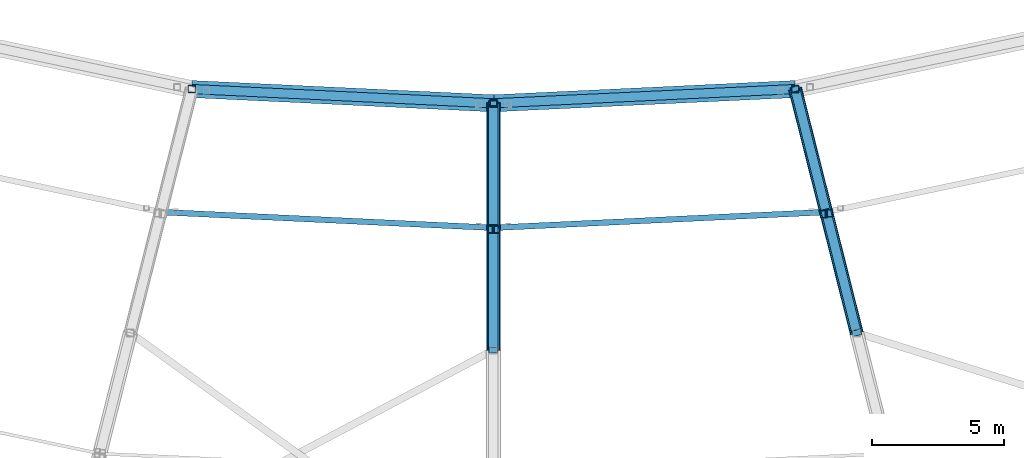
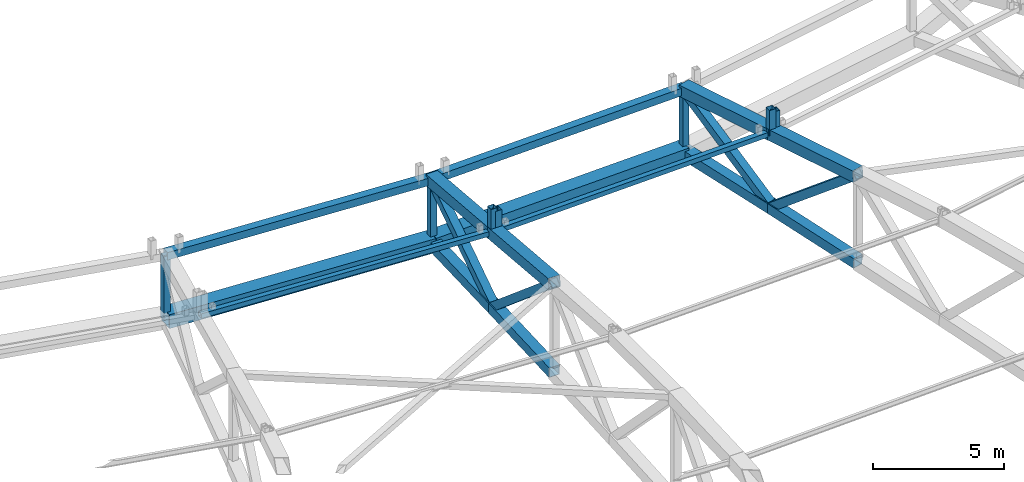
# One storey, part 34 of 162: 25 members.
"""IFC4 building model written with IfcOpenShell, lengths in metres."""

from ifc_helpers import new_model, si_unit, direction, frame, origin, origin_2d, place, context, subcontext, project, spatial, hollow_rectangle, extrude, material, material_profile, profile_set, type_object, element, save


model = new_model("IFC4")

# Units and contexts
model_context = context("Model", 3, precision=1e-05, world=origin(), true_north=direction((0.0, 1.0)))
body_context = subcontext(model_context, "Body", "Model", "MODEL_VIEW")
ifc_project = project(units=[si_unit("LENGTHUNIT", "METRE"), si_unit("AREAUNIT", "SQUARE_METRE"), si_unit("VOLUMEUNIT", "CUBIC_METRE"), si_unit("PLANEANGLEUNIT", "RADIAN"), si_unit("MASSUNIT", "GRAM", prefix="KILO")], contexts=[model_context])

# Site, building, storey
site_placement = place(None, origin())
site = spatial("IfcSite", under=ifc_project, at=site_placement, CompositionType="ELEMENT")
building_placement = place(site_placement, origin())
building = spatial("IfcBuilding", under=site, at=building_placement, Name="Kazemori Nagisa Stadium", CompositionType="ELEMENT")
storey_placement = place(building_placement, frame((0.0, 0.0, 36.719970703125)))
storey = spatial("IfcBuildingStorey", under=building, at=storey_placement, Name="RF", CompositionType="ELEMENT", Elevation=36.719970703125)

# Members
ifc_material = material(Name="Steel STKR490", Category="steel")
ifc_material_profile_1 = material_profile(ifc_material, hollow_rectangle(XDim=0.280029296875, YDim=0.280029296875, WallThickness=0.010009765625, at=origin_2d()), Name="SHS-280x280x10")
ifc_profile_set_1 = profile_set([ifc_material_profile_1], Name="Steel STKR490")
member_type_1 = type_object("IfcMemberType", Name="Member_ST-SHS280", PredefinedType="STUD", material=ifc_profile_set_1)
member_1_placement = place(storey_placement, frame((122.898193359375, 51.1962890625, 5.380126953125), z_axis=(0.0, 0.0, 1.0), x_axis=(1.0, 0.0, 0.0)))
element("IfcMember", 1, at=member_1_placement, inside=storey, type_object=member_type_1, Name="Canopy bearing stool B21-inner-3", PredefinedType="STUD", context=body_context, shape_type="SweptSolid", body=[
    extrude(hollow_rectangle(XDim=0.280029296875, YDim=0.280029296875, WallThickness=0.010009765625, at=origin_2d()), origin(), (0.0, 0.0, 1.0), 1.200927734375),
])
member_2_placement = place(storey_placement, frame((135.55126953125, 51.77978515625, 5.235107421875), z_axis=(0.0, 0.0, 1.0), x_axis=(1.0, 0.0, 0.0)))
element("IfcMember", 2, at=member_2_placement, inside=storey, type_object=member_type_1, Name="Canopy bearing stool B22-inner-3", PredefinedType="STUD", context=body_context, shape_type="SweptSolid", body=[
    extrude(hollow_rectangle(XDim=0.280029296875, YDim=0.280029296875, WallThickness=0.010009765625, at=origin_2d()), origin(), (0.0, 0.0, 1.0), 1.184814453125),
])
member_3_placement = place(storey_placement, frame((123.101806640625, 51.1962890625, 5.380126953125), z_axis=(0.0, 0.0, 1.0), x_axis=(1.0, 0.0, 0.0)))
element("IfcMember", 3, at=member_3_placement, inside=storey, type_object=member_type_1, Name="Canopy bearing stool B22-inner-4", PredefinedType="STUD", context=body_context, shape_type="SweptSolid", body=[
    extrude(hollow_rectangle(XDim=0.280029296875, YDim=0.280029296875, WallThickness=0.010009765625, at=origin_2d()), origin(), (0.0, 0.0, 1.0), 1.039794921875),
])
member_4_placement = place(storey_placement, frame((135.754150390625, 51.814208984375, 5.235107421875), z_axis=(0.0, 0.0, 1.0), x_axis=(1.0, 0.0, 0.0)))
element("IfcMember", 4, at=member_4_placement, inside=storey, type_object=member_type_1, Name="Canopy bearing stool B23-inner-4", PredefinedType="STUD", context=body_context, shape_type="SweptSolid", body=[
    extrude(hollow_rectangle(XDim=0.280029296875, YDim=0.280029296875, WallThickness=0.010009765625, at=origin_2d()), origin(), (0.0, 0.0, 1.0), 1.02392578125),
])
ifc_material_profile_2 = material_profile(ifc_material, hollow_rectangle(XDim=0.360107421875, YDim=0.360107421875, WallThickness=0.013916015625, at=origin_2d()), Name="SHS-360x360x14")
ifc_profile_set_2 = profile_set([ifc_material_profile_2], Name="Steel STKR490")
member_type_2 = type_object("IfcMemberType", Name="Member_TB-SHS360", PredefinedType="BRACE", material=ifc_profile_set_2)
member_5_placement = place(storey_placement, frame((123.0, 46.615966796875, 5.780029296875), z_axis=(0.0, 0.763753198073, -0.645508367439), x_axis=(-1.0, 0.0, 0.0)))
element("IfcMember", 5, at=member_5_placement, inside=storey, type_object=member_type_2, Name="Roof space truss diagonal RT-22-8", PredefinedType="BRACE", context=body_context, shape_type="SweptSolid", body=[
    extrude(hollow_rectangle(XDim=0.360107421875, YDim=0.360107421875, WallThickness=0.013916015625, at=origin_2d()), origin(), (0.0, 0.0, 1.0), 6.08056640625),
])
member_6_placement = place(storey_placement, frame((123.0, 51.260009765625, 1.85498046875), z_axis=(0.0, 0.834348761019, 0.551236922734), x_axis=(-1.0, 0.0, 0.0)))
element("IfcMember", 6, at=member_6_placement, inside=storey, type_object=member_type_2, Name="Roof space truss diagonal RT-22-9", PredefinedType="BRACE", context=body_context, shape_type="SweptSolid", body=[
    extrude(hollow_rectangle(XDim=0.360107421875, YDim=0.360107421875, WallThickness=0.013916015625, at=origin_2d()), origin(), (0.0, 0.0, 1.0), 5.669189453125),
])
member_7_placement = place(storey_placement, frame((136.79931640625, 47.2685546875, 5.6240234375), z_axis=(-0.189151011333, 0.750257767467, -0.63351020297), x_axis=(-0.969658101679, -0.244465060587, 0.0)))
element("IfcMember", 7, at=member_7_placement, inside=storey, type_object=member_type_2, Name="Roof space truss diagonal RT-23-8", PredefinedType="BRACE", context=body_context, shape_type="SweptSolid", body=[
    extrude(hollow_rectangle(XDim=0.360107421875, YDim=0.360107421875, WallThickness=0.013916015625, at=origin_2d()), origin(), (0.0, 0.0, 1.0), 6.11669921875),
])
member_8_placement = place(storey_placement, frame((135.642333984375, 51.857666015625, 1.7490234375), z_axis=(-0.20567846439, 0.815811037748, 0.540507835257), x_axis=(-0.969657957975, -0.244465630583, 0.0)))
element("IfcMember", 8, at=member_8_placement, inside=storey, type_object=member_type_2, Name="Roof space truss diagonal RT-23-9", PredefinedType="BRACE", context=body_context, shape_type="SweptSolid", body=[
    extrude(hollow_rectangle(XDim=0.360107421875, YDim=0.360107421875, WallThickness=0.013916015625, at=origin_2d()), origin(), (0.0, 0.0, 1.0), 5.729736328125),
])
ifc_material_profile_3 = material_profile(ifc_material, hollow_rectangle(XDim=0.35009765625, YDim=0.35009765625, WallThickness=0.01611328125, at=origin_2d()), Name="SHS-350x350x16")
ifc_profile_set_3 = profile_set([ifc_material_profile_3], Name="Steel STKR490")
member_type_3 = type_object("IfcMemberType", Name="Member_TC-SHS350", PredefinedType="CHORD", material=ifc_profile_set_3)
for number, where, z_axis, x_axis, name in (
    (9, (111.5361328125, 56.531982421875, 5.114013671875), (0.998816137593, -0.047222332087, -0.011677955097), (0.04722555238, 0.998884251153, 0.0), "Roof tension ring beam upper TR-21"),
    (10, (123.0, 55.989990234375, 4.97998046875), (0.998816137593, 0.047222332087, -0.011677955097), (-0.04722555238, 0.998884251153, 0.0), "Roof tension ring beam upper TR-22"),
):
    element("IfcMember", number, at=place(storey_placement, frame(where, z_axis=z_axis, x_axis=x_axis)), inside=storey, type_object=member_type_3, Name=name, PredefinedType="CHORD", context=body_context, shape_type="SweptSolid", body=[
        extrude(hollow_rectangle(XDim=0.35009765625, YDim=0.35009765625, WallThickness=0.01611328125, at=origin_2d()), origin(), (0.0, 0.0, 1.0), 11.4775390625),
    ])
ifc_material_profile_4 = material_profile(ifc_material, hollow_rectangle(XDim=0.4599609375, YDim=0.4599609375, WallThickness=0.01611328125, at=origin_2d()), Name="SHS-460x460x16")
ifc_profile_set_4 = profile_set([ifc_material_profile_4], Name="Steel STKR490")
member_type_4 = type_object("IfcMemberType", Name="Member_TC-SHS460", PredefinedType="CHORD", material=ifc_profile_set_4)
member_9_placement = place(storey_placement, frame((123.0, 46.615966796875, 1.64013671875), z_axis=(0.0, 0.998931617978, 0.046212796963), x_axis=(-1.0, 0.0, 0.0)))
element("IfcMember", 11, at=member_9_placement, inside=storey, type_object=member_type_4, Name="Roof space truss bottom chord RT-22-8", PredefinedType="CHORD", context=body_context, shape_type="SweptSolid", body=[
    extrude(hollow_rectangle(XDim=0.4599609375, YDim=0.4599609375, WallThickness=0.01611328125, at=origin_2d()), origin(), (0.0, 0.0, 1.0), 4.64892578125),
])
member_10_placement = place(storey_placement, frame((123.0, 51.260009765625, 1.85498046875), z_axis=(0.0, 0.999315893225, 0.036983044051), x_axis=(-1.0, 0.0, 0.0)))
element("IfcMember", 12, at=member_10_placement, inside=storey, type_object=member_type_4, Name="Roof space truss bottom chord RT-22-9", PredefinedType="CHORD", context=body_context, shape_type="SweptSolid", body=[
    extrude(hollow_rectangle(XDim=0.4599609375, YDim=0.4599609375, WallThickness=0.01611328125, at=origin_2d()), origin(), (0.0, 0.0, 1.0), 4.733154296875),
])
member_11_placement = place(storey_placement, frame((136.79931640625, 47.2685546875, 1.551025390625), z_axis=(-0.244251402641, 0.968810638413, 0.041799512037), x_axis=(-0.969658101679, -0.244465060587, 0.0)))
element("IfcMember", 13, at=member_11_placement, inside=storey, type_object=member_type_4, Name="Roof space truss bottom chord RT-23-8", PredefinedType="CHORD", context=body_context, shape_type="SweptSolid", body=[
    extrude(hollow_rectangle(XDim=0.4599609375, YDim=0.4599609375, WallThickness=0.01611328125, at=origin_2d()), origin(), (0.0, 0.0, 1.0), 4.73681640625),
])
member_12_placement = place(storey_placement, frame((135.642333984375, 51.857666015625, 1.7490234375), z_axis=(-0.244332867625, 0.969131361828, 0.032952288549), x_axis=(-0.969657957975, -0.244465630583, 0.0)))
element("IfcMember", 14, at=member_12_placement, inside=storey, type_object=member_type_4, Name="Roof space truss bottom chord RT-23-9", PredefinedType="CHORD", context=body_context, shape_type="SweptSolid", body=[
    extrude(hollow_rectangle(XDim=0.4599609375, YDim=0.4599609375, WallThickness=0.01611328125, at=origin_2d()), origin(), (0.0, 0.0, 1.0), 4.8232421875),
])
ifc_material_profile_5 = material_profile(ifc_material, hollow_rectangle(XDim=0.52001953125, YDim=0.52001953125, WallThickness=0.01904296875, at=origin_2d()), Name="SHS-520x520x19")
ifc_profile_set_5 = profile_set([ifc_material_profile_5], Name="Steel STKR490")
member_type_5 = type_object("IfcMemberType", Name="Member_TC-SHS520", PredefinedType="CHORD", material=ifc_profile_set_5)
member_13_placement = place(storey_placement, frame((123.0, 46.615966796875, 5.780029296875), z_axis=(0.0, 0.996312955576, -0.085793324636), x_axis=(-1.0, 0.0, 0.0)))
element("IfcMember", 15, at=member_13_placement, inside=storey, type_object=member_type_5, Name="Roof space truss top chord RT-22-8", PredefinedType="CHORD", context=body_context, shape_type="SweptSolid", body=[
    extrude(hollow_rectangle(XDim=0.52001953125, YDim=0.52001953125, WallThickness=0.01904296875, at=origin_2d()), origin(), (0.0, 0.0, 1.0), 4.6611328125),
])
member_14_placement = place(storey_placement, frame((123.0, 51.260009765625, 5.380126953125), z_axis=(0.0, 0.996440690029, -0.08429680453), x_axis=(-1.0, 0.0, 0.0)))
element("IfcMember", 16, at=member_14_placement, inside=storey, type_object=member_type_5, Name="Roof space truss top chord RT-22-9", PredefinedType="CHORD", context=body_context, shape_type="SweptSolid", body=[
    extrude(hollow_rectangle(XDim=0.52001953125, YDim=0.52001953125, WallThickness=0.01904296875, at=origin_2d()), origin(), (0.0, 0.0, 1.0), 4.746826171875),
])
member_15_placement = place(storey_placement, frame((136.79931640625, 47.2685546875, 5.6240234375), z_axis=(-0.243643790996, 0.966400578043, -0.081900096868), x_axis=(-0.969658101679, -0.244465060587, 0.0)))
element("IfcMember", 17, at=member_15_placement, inside=storey, type_object=member_type_5, Name="Roof space truss top chord RT-23-8", PredefinedType="CHORD", context=body_context, shape_type="SweptSolid", body=[
    extrude(hollow_rectangle(XDim=0.52001953125, YDim=0.52001953125, WallThickness=0.01904296875, at=origin_2d()), origin(), (0.0, 0.0, 1.0), 4.748779296875),
])
member_16_placement = place(storey_placement, frame((135.642333984375, 51.857666015625, 5.235107421875), z_axis=(-0.243672893791, 0.966513616019, -0.080467079491), x_axis=(-0.969657957975, -0.244465630583, 0.0)))
element("IfcMember", 18, at=member_16_placement, inside=storey, type_object=member_type_5, Name="Roof space truss top chord RT-23-9", PredefinedType="CHORD", context=body_context, shape_type="SweptSolid", body=[
    extrude(hollow_rectangle(XDim=0.52001953125, YDim=0.52001953125, WallThickness=0.01904296875, at=origin_2d()), origin(), (0.0, 0.0, 1.0), 4.836181640625),
])
ifc_material_profile_6 = material_profile(ifc_material, hollow_rectangle(XDim=0.64990234375, YDim=0.64990234375, WallThickness=0.02490234375, at=origin_2d()), Name="SHS-650x650x25")
ifc_profile_set_6 = profile_set([ifc_material_profile_6], Name="Steel STKR490")
member_type_6 = type_object("IfcMemberType", Name="Member_TC-SHS650", PredefinedType="CHORD", material=ifc_profile_set_6)
for number, where, z_axis, x_axis, name in (
    (19, (111.5361328125, 56.531982421875, 2.152099609375), (0.998827752711, -0.04722288123, -0.010635784061), (0.04722555238, 0.998884251153, 0.0), "Roof tension ring beam lower TR-21"),
    (20, (123.0, 55.989990234375, 2.030029296875), (0.998827752711, 0.04722288123, -0.010635784061), (-0.04722555238, 0.998884251153, 0.0), "Roof tension ring beam lower TR-22"),
):
    element("IfcMember", number, at=place(storey_placement, frame(where, z_axis=z_axis, x_axis=x_axis)), inside=storey, type_object=member_type_6, Name=name, PredefinedType="CHORD", context=body_context, shape_type="SweptSolid", body=[
        extrude(hollow_rectangle(XDim=0.64990234375, YDim=0.64990234375, WallThickness=0.02490234375, at=origin_2d()), origin(), (0.0, 0.0, 1.0), 11.477294921875),
    ])
ifc_material_profile_7 = material_profile(ifc_material, hollow_rectangle(XDim=0.219970703125, YDim=0.219970703125, WallThickness=0.009033203125, at=origin_2d()), Name="SHS-220x220x9")
ifc_profile_set_7 = profile_set([ifc_material_profile_7], Name="Steel STKR490")
member_type_7 = type_object("IfcMemberType", Name="Member_TP-SHS220", PredefinedType="PURLIN", material=ifc_profile_set_7)
for number, where, z_axis, x_axis, name in (
    (21, (110.357666015625, 51.857666015625, 5.525146484375), (0.998818879482, -0.047218365428, -0.011457397494), (0.047221464957, 0.998884444391, 0.0), "Roof purlin TP-SHS220 B21-P8"),
    (22, (123.0, 51.260009765625, 5.380126953125), (0.998818879482, 0.047218365428, -0.011457397494), (-0.047221464957, 0.998884444391, 0.0), "Roof purlin TP-SHS220 B22-P8"),
):
    element("IfcMember", number, at=place(storey_placement, frame(where, z_axis=z_axis, x_axis=x_axis)), inside=storey, type_object=member_type_7, Name=name, PredefinedType="PURLIN", context=body_context, shape_type="SweptSolid", body=[
        extrude(hollow_rectangle(XDim=0.219970703125, YDim=0.219970703125, WallThickness=0.009033203125, at=origin_2d()), origin(), (0.0, 0.0, 1.0), 12.6572265625),
    ])
ifc_material_profile_8 = material_profile(ifc_material, hollow_rectangle(XDim=0.280029296875, YDim=0.280029296875, WallThickness=0.010009765625, at=origin_2d()), Name="SHS-280x280x10")
ifc_profile_set_8 = profile_set([ifc_material_profile_8], Name="Steel STKR490")
member_type_8 = type_object("IfcMemberType", Name="Member_TS-SHS280", PredefinedType="STRUT", material=ifc_profile_set_8)
member_17_placement = place(storey_placement, frame((111.5361328125, 56.531982421875, 2.152099609375), z_axis=(0.0, 0.0, 1.0), x_axis=(1.0, 0.0, 0.0)))
element("IfcMember", 23, at=member_17_placement, inside=storey, type_object=member_type_8, Name="Roof space truss strut RT-21-10", PredefinedType="STRUT", context=body_context, shape_type="SweptSolid", body=[
    extrude(hollow_rectangle(XDim=0.280029296875, YDim=0.280029296875, WallThickness=0.010009765625, at=origin_2d()), origin(), (0.0, 0.0, 1.0), 2.9619140625),
])
member_18_placement = place(storey_placement, frame((123.0, 55.989990234375, 2.030029296875), z_axis=(0.0, 0.0, 1.0), x_axis=(1.0, 0.0, 0.0)))
element("IfcMember", 24, at=member_18_placement, inside=storey, type_object=member_type_8, Name="Roof space truss strut RT-22-10", PredefinedType="STRUT", context=body_context, shape_type="SweptSolid", body=[
    extrude(hollow_rectangle(XDim=0.280029296875, YDim=0.280029296875, WallThickness=0.010009765625, at=origin_2d()), origin(), (0.0, 0.0, 1.0), 2.949951171875),
])
member_19_placement = place(storey_placement, frame((134.4638671875, 56.531982421875, 1.907958984375), z_axis=(0.0, 0.0, 1.0), x_axis=(1.0, 0.0, 0.0)))
element("IfcMember", 25, at=member_19_placement, inside=storey, type_object=member_type_8, Name="Roof space truss strut RT-23-10", PredefinedType="STRUT", context=body_context, shape_type="SweptSolid", body=[
    extrude(hollow_rectangle(XDim=0.280029296875, YDim=0.280029296875, WallThickness=0.010009765625, at=origin_2d()), origin(), (0.0, 0.0, 1.0), 2.93798828125),
])

save(model, "model.ifc")
